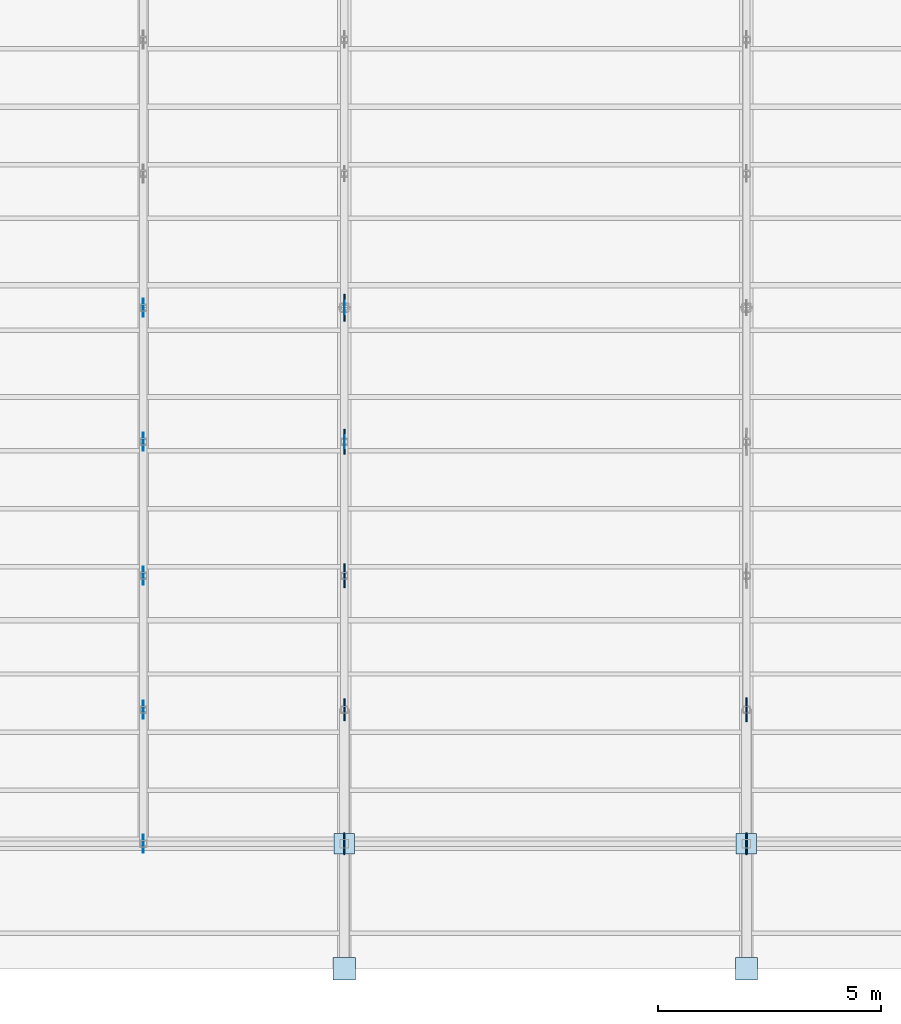
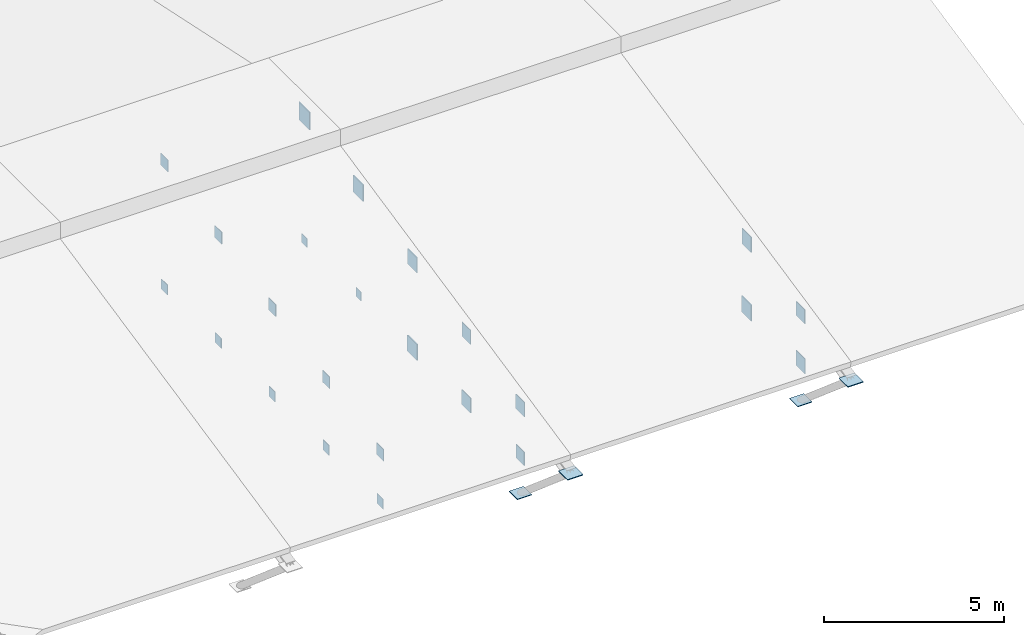
# One storey, part 40 of 43: 28 plates.
"""IFC4 building model written with IfcOpenShell, lengths in metres."""

import ifcopenshell
import ifcopenshell.guid

model = None  # the IFC model being written
_history = None  # IfcOwnerHistory: only IFC2X3 demands one
_inside = {}  # id of a spatial element -> (the spatial element, [elements in it])
_under = {}  # id of a project, library or spatial element -> (it, [spatial elements below it])
_declared = {}  # id of a project -> (the project, [libraries it declares])
_typed = {}  # id of a type object -> (the type object, [elements of that type])
_made_of = {}  # id of a material, layer set ... -> (it, [elements and type objects made of it])


def new_model(schema):
    """Start an empty IFC model of exactly this schema.

    Asked for "IFC4X3", IfcOpenShell would pick the latest addendum, in which some entities
    have other attributes; the version numbers below select the first issue.
    IFC2X3 requires an IfcOwnerHistory on every rooted entity: one is made here for all.
    """
    global model, _history
    if schema == "IFC4X3":
        model = ifcopenshell.file(schema_version=(4, 3, 0, 0))
    else:
        model = ifcopenshell.file(schema=schema)
    _inside.clear()
    _under.clear()
    _declared.clear()
    _typed.clear()
    _made_of.clear()
    _history = None
    if model.schema == "IFC2X3":
        org = make("IfcOrganization", Name="unknown")
        user = make(
            "IfcPersonAndOrganization",
            ThePerson=make("IfcPerson", FamilyName="unknown"),
            TheOrganization=org,
        )
        app = make(
            "IfcApplication",
            ApplicationDeveloper=org,
            Version="unknown",
            ApplicationFullName="unknown",
            ApplicationIdentifier="unknown",
        )
        _history = make(
            "IfcOwnerHistory",
            OwningUser=user,
            OwningApplication=app,
            ChangeAction="ADDED",
            CreationDate=0,
        )
    return model


def make(cls, **values):
    """One entity of the class cls with the attributes given. An attribute that is None is left unset."""
    return model.create_entity(
        cls, **{name: value for name, value in values.items() if value is not None}
    )


def rooted(cls, **values):
    """An entity with a GlobalId (a new one), such as an element, a storey or a relation."""
    return make(cls, GlobalId=ifcopenshell.guid.new(), OwnerHistory=_history, **values)


def si_unit(unit_type, name, prefix=None):
    """IfcSIUnit, for example si_unit("LENGTHUNIT", "METRE", prefix="MILLI")."""
    return make("IfcSIUnit", UnitType=unit_type, Prefix=prefix, Name=name)


def assignment(units):
    """IfcUnitAssignment: the units of a project."""
    return None if units is None else make("IfcUnitAssignment", Units=units)


def point(xyz):
    """IfcCartesianPoint."""
    return None if xyz is None else make("IfcCartesianPoint", Coordinates=xyz)


def direction(xyz):
    """IfcDirection."""
    return None if xyz is None else make("IfcDirection", DirectionRatios=xyz)


def frame(location, z_axis=None, x_axis=None):
    """IfcAxis2Placement3D, a coordinate frame: its origin and axes. An axis left out is left unset."""
    return make(
        "IfcAxis2Placement3D",
        Location=point(location),
        Axis=direction(z_axis),
        RefDirection=direction(x_axis),
    )


def frame_2d(location, x_axis=None):
    """IfcAxis2Placement2D, a coordinate frame in the plane: its origin and x axis."""
    return make(
        "IfcAxis2Placement2D", Location=point(location), RefDirection=direction(x_axis)
    )


def origin():
    """The frame at (0, 0, 0) with its axes left unset."""
    return frame((0.0, 0.0, 0.0))


def origin_2d():
    """The frame at (0, 0) in the plane with its x axis left unset."""
    return frame_2d((0.0, 0.0))


def place(relative_to, where):
    """IfcLocalPlacement: puts the frame where relative to a parent placement (None: the world)."""
    return make(
        "IfcLocalPlacement", PlacementRelTo=relative_to, RelativePlacement=where
    )


def context(
    kind, dimensions, precision=None, world=None, true_north=None, identifier=None
):
    """IfcGeometricRepresentationContext, for example the 3D "Model" context."""
    return make(
        "IfcGeometricRepresentationContext",
        ContextIdentifier=identifier,
        ContextType=kind,
        CoordinateSpaceDimension=dimensions,
        Precision=precision,
        WorldCoordinateSystem=world,
        TrueNorth=true_north,
    )


def subcontext(parent, identifier, kind, view, scale=None):
    """IfcGeometricRepresentationSubContext, for example "Body" below "Model"."""
    return make(
        "IfcGeometricRepresentationSubContext",
        ContextIdentifier=identifier,
        ContextType=kind,
        ParentContext=parent,
        TargetScale=scale,
        TargetView=view,
    )


def project(units=None, contexts=None):
    """IfcProject with its units and contexts."""
    return rooted(
        "IfcProject",
        Name="project",
        RepresentationContexts=contexts,
        UnitsInContext=assignment(units),
    )


def spatial(cls, under=None, at=None, **own):
    """A site, building, storey or space (cls), placed at a placement, below another one or the project."""
    s = rooted(cls, ObjectPlacement=at, **own)
    if under is not None:
        _under.setdefault(under.id(), (under, []))[1].append(s)
    return s


def profile(cls, at=None, kind="AREA", **sizes):
    """A parametric profile (cls). Its sizes go by their IFC names, for example OverallWidth=200.0."""
    return make(cls, ProfileType=kind, Position=at, **sizes)


def rectangle(**sizes):
    """IfcRectangleProfileDef."""
    return profile("IfcRectangleProfileDef", **sizes)


def extrude(swept, where, along, depth):
    """IfcExtrudedAreaSolid: the profile swept, set in the frame where, extruded along a direction by depth."""
    return make(
        "IfcExtrudedAreaSolid",
        SweptArea=swept,
        Position=where,
        ExtrudedDirection=direction(along),
        Depth=depth,
    )


def shape(context_of_items, identifier, shape_type, items):
    """IfcShapeRepresentation: the items that make up one representation, for example the "Body"."""
    return make(
        "IfcShapeRepresentation",
        ContextOfItems=context_of_items,
        RepresentationIdentifier=identifier,
        RepresentationType=shape_type,
        Items=items,
    )


def material(Name=None, Category=None):
    """IfcMaterial."""
    return make("IfcMaterial", Name=Name, Category=Category)


def layer(
    of_material, thickness, ventilated=None, Name=None, Category=None, Priority=None
):
    """IfcMaterialLayer: one layer of a wall or slab, of a material (None: an air gap)."""
    return make(
        "IfcMaterialLayer",
        Material=of_material,
        LayerThickness=thickness,
        IsVentilated=ventilated,
        Name=Name,
        Category=Category,
        Priority=Priority,
    )


def layer_set(layers, Name=None):
    """IfcMaterialLayerSet."""
    return make("IfcMaterialLayerSet", MaterialLayers=layers, LayerSetName=Name)


def made_of(thing, what):
    """Note that an element or type object is made of a material, layer set ...; save() writes the relation."""
    if what is not None:
        _made_of.setdefault(what.id(), (what, []))[1].append(thing)
    return thing


def type_object(cls, material=None, **own):
    """A type object (cls), such as IfcWallType, which elements share."""
    return made_of(rooted(cls, **own), material)


def element(
    cls,
    number,
    at=None,
    inside=None,
    cuts=None,
    type_object=None,
    material=None,
    context=None,
    identifier="Body",
    shape_type=None,
    held_by="IfcProductDefinitionShape",
    body=None,
    shapes=None,
    **own,
):
    """One element of the class cls, such as IfcWall. Its Tag is "e" and its number.

    at: its placement. inside: the storey or other place that contains it. cuts: it is an
    opening in that element (IfcRelVoidsElement). A single representation is given by context,
    identifier, shape_type and body (its items); several are given by shapes. held_by: the class
    of the entity that holds the representations. save() writes the other relations.
    """
    e = rooted(cls, Tag="e%d" % number, ObjectPlacement=at, **own)
    if body is not None:
        shapes = [shape(context, identifier, shape_type, body)]
    if shapes is not None:
        e.Representation = make(held_by, Representations=shapes)
    if inside is not None:
        _inside.setdefault(inside.id(), (inside, []))[1].append(e)
    if cuts is not None:
        rooted(
            "IfcRelVoidsElement", RelatingBuildingElement=cuts, RelatedOpeningElement=e
        )
    if type_object is not None:
        _typed.setdefault(type_object.id(), (type_object, []))[1].append(e)
    return made_of(e, material)


def aggregate(whole, parts):
    """IfcRelAggregates: a whole, such as a stair, and the parts it consists of."""
    return rooted("IfcRelAggregates", RelatingObject=whole, RelatedObjects=parts)


def save(model, path):
    """Write the relations noted so far, then the file.

    IfcRelAggregates (storeys below a building ...), IfcRelContainedInSpatialStructure (elements
    in a storey), IfcRelDefinesByType, IfcRelAssociatesMaterial and IfcRelDeclares: one each for
    every whole, place, type object, material and project.
    """
    for whole, parts in _under.values():
        aggregate(whole, parts)
    for where, things in _inside.values():
        rooted(
            "IfcRelContainedInSpatialStructure",
            RelatedElements=things,
            RelatingStructure=where,
        )
    for kind, things in _typed.values():
        rooted("IfcRelDefinesByType", RelatedObjects=things, RelatingType=kind)
    for what, things in _made_of.values():
        rooted("IfcRelAssociatesMaterial", RelatedObjects=things, RelatingMaterial=what)
    for by, libraries in _declared.values():
        rooted("IfcRelDeclares", RelatingContext=by, RelatedDefinitions=libraries)
    model.write(path)


model = new_model("IFC4")

# Units and contexts
model_context = context("Model", 3, precision=1e-05, world=origin(), true_north=direction((0.0, 1.0)))
body_context = subcontext(model_context, "Body", "Model", "MODEL_VIEW")
ifc_project = project(units=[si_unit("LENGTHUNIT", "METRE"), si_unit("AREAUNIT", "SQUARE_METRE"), si_unit("VOLUMEUNIT", "CUBIC_METRE"), si_unit("PLANEANGLEUNIT", "RADIAN"), si_unit("MASSUNIT", "GRAM", prefix="KILO")], contexts=[model_context])

# Site, building, storey
site_placement = place(None, origin())
site = spatial("IfcSite", under=ifc_project, at=site_placement, CompositionType="ELEMENT")
building_placement = place(site_placement, origin())
building = spatial("IfcBuilding", under=site, at=building_placement, Name="Serraforn Aerial Cableway Station", CompositionType="ELEMENT")
storey_placement = place(building_placement, frame((0.0, 0.0, 18.300048828125)))
storey = spatial("IfcBuildingStorey", under=building, at=storey_placement, Name="RF", CompositionType="ELEMENT", Elevation=18.300048828125)

# Plates
ifc_material = material(Name="Steel S355J2", Category="steel")
ifc_layer_1 = layer(ifc_material, 0.014892578125)
ifc_layer_set_1 = layer_set([ifc_layer_1], Name="Steel S355J2")
plate_type_1 = type_object("IfcPlateType", Name="PLT-CAP-15", PredefinedType="USERDEFINED", material=ifc_layer_set_1)
plate_1_placement = place(storey_placement, frame((72.60009765625, 27.0, -1.4951171875), z_axis=(0.0, 0.0, 1.0), x_axis=(1.0, 0.0, 0.0)))
element("IfcPlate", 1, at=plate_1_placement, inside=storey, type_object=plate_type_1, Name="Truss Bottom Node Cap TR-06-4", ObjectType="CAP PLATE", PredefinedType="USERDEFINED", context=body_context, shape_type="SweptSolid", body=[
    extrude(rectangle(XDim=0.014892578125, YDim=0.2900390625, at=origin_2d()), origin(), (0.0, 0.0, 1.0), 0.2900390625),
])
ifc_layer_2 = layer(ifc_material, 0.01611328125)
ifc_layer_set_2 = layer_set([ifc_layer_2], Name="Steel S355J2")
plate_type_2 = type_object("IfcPlateType", Name="PLT-CAP-16", PredefinedType="USERDEFINED", material=ifc_layer_set_2)
plate_2_placement = place(storey_placement, frame((72.60009765625, 30.0, -1.5), z_axis=(0.0, 0.0, 1.0), x_axis=(1.0, 0.0, 0.0)))
element("IfcPlate", 2, at=plate_2_placement, inside=storey, type_object=plate_type_2, Name="Truss Bottom Node Cap TR-06-5", ObjectType="CAP PLATE", PredefinedType="USERDEFINED", context=body_context, shape_type="SweptSolid", body=[
    extrude(rectangle(XDim=0.01611328125, YDim=0.300048828125, at=origin_2d()), origin(), (0.0, 0.0, 1.0), 0.300048828125),
])
ifc_layer_3 = layer(ifc_material, 0.01806640625)
ifc_layer_set_3 = layer_set([ifc_layer_3], Name="Steel S355J2")
plate_type_3 = type_object("IfcPlateType", Name="PLT-CAP-18", PredefinedType="USERDEFINED", material=ifc_layer_set_3)
for number, where, z_axis, x_axis, name in (
    (3, (68.10009765625, 18.0, -1.52001953125), (0.0, 0.0, 1.0), (1.0, 0.0, 0.0), "Intermediate Truss Bottom Cap TRM-05-1"),
    (4, (68.10009765625, 21.0, -1.52001953125), (0.0, 0.0, 1.0), (1.0, 0.0, 0.0), "Intermediate Truss Bottom Cap TRM-05-2"),
    (5, (68.10009765625, 24.0, -1.52001953125), (0.0, 0.0, 1.0), (1.0, 0.0, 0.0), "Intermediate Truss Bottom Cap TRM-05-3"),
    (6, (68.10009765625, 27.0, -1.52001953125), (0.0, 0.0, 1.0), (1.0, 0.0, 0.0), "Intermediate Truss Bottom Cap TRM-05-4"),
    (7, (68.10009765625, 30.0, -1.52001953125), (0.0, 0.0, 1.0), (1.0, 0.0, 0.0), "Intermediate Truss Bottom Cap TRM-05-5"),
):
    element("IfcPlate", number, at=place(storey_placement, frame(where, z_axis=z_axis, x_axis=x_axis)), inside=storey, type_object=plate_type_3, Name=name, ObjectType="CAP PLATE", PredefinedType="USERDEFINED", context=body_context, shape_type="SweptSolid", body=[
        extrude(rectangle(XDim=0.01806640625, YDim=0.340087890625, at=origin_2d()), origin(), (0.0, 0.0, 1.0), 0.340087890625),
    ])
ifc_layer_4 = layer(ifc_material, 0.02392578125)
ifc_layer_set_4 = layer_set([ifc_layer_4], Name="Steel S355J2")
plate_type_4 = type_object("IfcPlateType", Name="PLT-CAP-24", PredefinedType="USERDEFINED", material=ifc_layer_set_4)
plate_3_placement = place(storey_placement, frame((72.60009765625, 18.0, -1.580078125), z_axis=(0.0, 0.0, 1.0), x_axis=(1.0, 0.0, 0.0)))
element("IfcPlate", 8, at=plate_3_placement, inside=storey, type_object=plate_type_4, Name="Truss Bottom Node Cap TR-06-1", ObjectType="CAP PLATE", PredefinedType="USERDEFINED", context=body_context, shape_type="SweptSolid", body=[
    extrude(rectangle(XDim=0.02392578125, YDim=0.4599609375, at=origin_2d()), origin(), (0.0, 0.0, 1.0), 0.4599609375),
])
for number, where, z_axis, x_axis, name in (
    (9, (72.60009765625, 18.0, -2.662109375), (0.0, 0.0, 1.0), (1.0, 0.0, 0.0), "Truss Eave Column Gusset TR-06-ES"),
    (10, (81.60009765625, 18.0, -2.662109375), (0.0, 0.0, 1.0), (1.0, 0.0, 0.0), "Truss Eave Column Gusset TR-07-ES"),
):
    element("IfcPlate", number, at=place(storey_placement, frame(where, z_axis=z_axis, x_axis=x_axis)), inside=storey, type_object=plate_type_4, Name=name, ObjectType="CAP PLATE", PredefinedType="USERDEFINED", context=body_context, shape_type="SweptSolid", body=[
        extrude(rectangle(XDim=0.4599609375, YDim=0.4599609375, at=origin_2d()), origin(), (0.0, 0.0, 1.0), 0.02392578125),
    ])
ifc_layer_5 = layer(ifc_material, 0.028076171875)
ifc_layer_set_5 = layer_set([ifc_layer_5], Name="Steel S355J2")
plate_type_5 = type_object("IfcPlateType", Name="PLT-CAP-28", PredefinedType="USERDEFINED", material=ifc_layer_set_5)
plate_4_placement = place(storey_placement, frame((72.60009765625, 21.0, -1.60009765625), z_axis=(0.0, 0.0, 1.0), x_axis=(1.0, 0.0, 0.0)))
element("IfcPlate", 11, at=plate_4_placement, inside=storey, type_object=plate_type_5, Name="Truss Bottom Node Cap TR-06-2", ObjectType="CAP PLATE", PredefinedType="USERDEFINED", context=body_context, shape_type="SweptSolid", body=[
    extrude(rectangle(XDim=0.028076171875, YDim=0.5, at=origin_2d()), origin(), (0.0, 0.0, 1.0), 0.5),
])
plate_5_placement = place(storey_placement, frame((72.60009765625, 15.199951171875, -0.2841796875), z_axis=(0.0, 0.0, 1.0), x_axis=(1.0, 0.0, 0.0)))
element("IfcPlate", 12, at=plate_5_placement, inside=storey, type_object=plate_type_5, Name="Truss Eave Tip Cap Plate TR-06-ES", ObjectType="CAP PLATE", PredefinedType="USERDEFINED", context=body_context, shape_type="SweptSolid", body=[
    extrude(rectangle(XDim=0.5, YDim=0.5, at=origin_2d()), origin(), (0.0, 0.0, 1.0), 0.028076171875),
])
plate_6_placement = place(storey_placement, frame((81.60009765625, 18.0, -1.60009765625), z_axis=(0.0, 0.0, 1.0), x_axis=(1.0, 0.0, 0.0)))
element("IfcPlate", 13, at=plate_6_placement, inside=storey, type_object=plate_type_5, Name="Truss Bottom Node Cap TR-07-1", ObjectType="CAP PLATE", PredefinedType="USERDEFINED", context=body_context, shape_type="SweptSolid", body=[
    extrude(rectangle(XDim=0.028076171875, YDim=0.5, at=origin_2d()), origin(), (0.0, 0.0, 1.0), 0.5),
])
plate_7_placement = place(storey_placement, frame((81.60009765625, 15.199951171875, -0.2841796875), z_axis=(0.0, 0.0, 1.0), x_axis=(1.0, 0.0, 0.0)))
element("IfcPlate", 14, at=plate_7_placement, inside=storey, type_object=plate_type_5, Name="Truss Eave Tip Cap Plate TR-07-ES", ObjectType="CAP PLATE", PredefinedType="USERDEFINED", context=body_context, shape_type="SweptSolid", body=[
    extrude(rectangle(XDim=0.5, YDim=0.5, at=origin_2d()), origin(), (0.0, 0.0, 1.0), 0.028076171875),
])
ifc_layer_6 = layer(ifc_material, 0.031982421875)
ifc_layer_set_6 = layer_set([ifc_layer_6], Name="Steel S355J2")
plate_type_6 = type_object("IfcPlateType", Name="PLT-CAP-32", PredefinedType="USERDEFINED", material=ifc_layer_set_6)
for number, where, z_axis, x_axis, name in (
    (15, (72.60009765625, 24.0, -1.6201171875), (0.0, 0.0, 1.0), (1.0, 0.0, 0.0), "Truss Bottom Node Cap TR-06-3"),
    (16, (81.60009765625, 21.0, -1.6201171875), (0.0, 0.0, 1.0), (1.0, 0.0, 0.0), "Truss Bottom Node Cap TR-07-2"),
):
    element("IfcPlate", number, at=place(storey_placement, frame(where, z_axis=z_axis, x_axis=x_axis)), inside=storey, type_object=plate_type_6, Name=name, ObjectType="CAP PLATE", PredefinedType="USERDEFINED", context=body_context, shape_type="SweptSolid", body=[
        extrude(rectangle(XDim=0.031982421875, YDim=0.5400390625, at=origin_2d()), origin(), (0.0, 0.0, 1.0), 0.5400390625),
    ])
ifc_layer_7 = layer(ifc_material, 0.02001953125)
ifc_layer_set_7 = layer_set([ifc_layer_7], Name="Steel S355J2")
plate_type_7 = type_object("IfcPlateType", Name="PLT-GUS-20", PredefinedType="USERDEFINED", material=ifc_layer_set_7)
for number, where, z_axis, x_axis, name in (
    (17, (68.10009765625, 18.0, 0.125244140625), (0.0, 0.0, 1.0), (1.0, 0.0, 0.0), "Intermediate Truss Top Gusset TRM-05-1"),
    (18, (68.10009765625, 21.0, 0.762939453125), (0.0, 0.0, 1.0), (1.0, 0.0, 0.0), "Intermediate Truss Top Gusset TRM-05-2"),
    (19, (68.10009765625, 24.0, 1.400634765625), (0.0, 0.0, 1.0), (1.0, 0.0, 0.0), "Intermediate Truss Top Gusset TRM-05-3"),
    (20, (68.10009765625, 27.0, 2.038330078125), (0.0, 0.0, 1.0), (1.0, 0.0, 0.0), "Intermediate Truss Top Gusset TRM-05-4"),
    (21, (68.10009765625, 30.0, 2.676025390625), (0.0, 0.0, 1.0), (1.0, 0.0, 0.0), "Intermediate Truss Top Gusset TRM-05-5"),
):
    element("IfcPlate", number, at=place(storey_placement, frame(where, z_axis=z_axis, x_axis=x_axis)), inside=storey, type_object=plate_type_7, Name=name, ObjectType="GUSSET PLATE", PredefinedType="USERDEFINED", context=body_context, shape_type="SweptSolid", body=[
        extrude(rectangle(XDim=0.02001953125, YDim=0.39990234375, at=origin_2d()), origin(), (0.0, 0.0, 1.0), 0.39990234375),
    ])
ifc_layer_8 = layer(ifc_material, 0.02294921875)
ifc_layer_set_8 = layer_set([ifc_layer_8], Name="Steel S355J2")
plate_type_8 = type_object("IfcPlateType", Name="PLT-GUS-23", PredefinedType="USERDEFINED", material=ifc_layer_set_8)
plate_8_placement = place(storey_placement, frame((72.60009765625, 18.0, 0.080078125), z_axis=(0.0, 0.0, 1.0), x_axis=(1.0, 0.0, 0.0)))
element("IfcPlate", 22, at=plate_8_placement, inside=storey, type_object=plate_type_8, Name="Truss Top Node Gusset TR-06-1", ObjectType="GUSSET PLATE", PredefinedType="USERDEFINED", context=body_context, shape_type="SweptSolid", body=[
    extrude(rectangle(XDim=0.02294921875, YDim=0.489990234375, at=origin_2d()), origin(), (0.0, 0.0, 1.0), 0.489990234375),
])
ifc_layer_9 = layer(ifc_material, 0.02392578125)
ifc_layer_set_9 = layer_set([ifc_layer_9], Name="Steel S355J2")
plate_type_9 = type_object("IfcPlateType", Name="PLT-GUS-24", PredefinedType="USERDEFINED", material=ifc_layer_set_9)
for number, where, z_axis, x_axis, name in (
    (23, (72.60009765625, 21.0, 0.722900390625), (0.0, 0.0, 1.0), (1.0, 0.0, 0.0), "Truss Top Node Gusset TR-06-2"),
    (24, (81.60009765625, 18.0, 0.085205078125), (0.0, 0.0, 1.0), (1.0, 0.0, 0.0), "Truss Top Node Gusset TR-07-1"),
):
    element("IfcPlate", number, at=place(storey_placement, frame(where, z_axis=z_axis, x_axis=x_axis)), inside=storey, type_object=plate_type_9, Name=name, ObjectType="GUSSET PLATE", PredefinedType="USERDEFINED", context=body_context, shape_type="SweptSolid", body=[
        extrude(rectangle(XDim=0.02392578125, YDim=0.47998046875, at=origin_2d()), origin(), (0.0, 0.0, 1.0), 0.47998046875),
    ])
ifc_layer_10 = layer(ifc_material, 0.02587890625)
ifc_layer_set_10 = layer_set([ifc_layer_10], Name="Steel S355J2")
plate_type_10 = type_object("IfcPlateType", Name="PLT-GUS-26", PredefinedType="USERDEFINED", material=ifc_layer_set_10)
for number, where, z_axis, x_axis, name in (
    (25, (72.60009765625, 24.0, 1.340576171875), (0.0, 0.0, 1.0), (1.0, 0.0, 0.0), "Truss Top Node Gusset TR-06-3"),
    (26, (81.60009765625, 21.0, 0.702880859375), (0.0, 0.0, 1.0), (1.0, 0.0, 0.0), "Truss Top Node Gusset TR-07-2"),
):
    element("IfcPlate", number, at=place(storey_placement, frame(where, z_axis=z_axis, x_axis=x_axis)), inside=storey, type_object=plate_type_10, Name=name, ObjectType="GUSSET PLATE", PredefinedType="USERDEFINED", context=body_context, shape_type="SweptSolid", body=[
        extrude(rectangle(XDim=0.02587890625, YDim=0.52001953125, at=origin_2d()), origin(), (0.0, 0.0, 1.0), 0.52001953125),
    ])
ifc_layer_11 = layer(ifc_material, 0.028076171875)
ifc_layer_set_11 = layer_set([ifc_layer_11], Name="Steel S355J2")
plate_type_11 = type_object("IfcPlateType", Name="PLT-GUS-28", PredefinedType="USERDEFINED", material=ifc_layer_set_11)
plate_9_placement = place(storey_placement, frame((72.60009765625, 27.0, 1.958251953125), z_axis=(0.0, 0.0, 1.0), x_axis=(1.0, 0.0, 0.0)))
element("IfcPlate", 27, at=plate_9_placement, inside=storey, type_object=plate_type_11, Name="Truss Top Node Gusset TR-06-4", ObjectType="GUSSET PLATE", PredefinedType="USERDEFINED", context=body_context, shape_type="SweptSolid", body=[
    extrude(rectangle(XDim=0.028076171875, YDim=0.56005859375, at=origin_2d()), origin(), (0.0, 0.0, 1.0), 0.56005859375),
])
ifc_layer_12 = layer(ifc_material, 0.031982421875)
ifc_layer_set_12 = layer_set([ifc_layer_12], Name="Steel S355J2")
plate_type_12 = type_object("IfcPlateType", Name="PLT-GUS-32", PredefinedType="USERDEFINED", material=ifc_layer_set_12)
plate_10_placement = place(storey_placement, frame((72.60009765625, 30.0, 2.575927734375), z_axis=(0.0, 0.0, 1.0), x_axis=(1.0, 0.0, 0.0)))
element("IfcPlate", 28, at=plate_10_placement, inside=storey, type_object=plate_type_12, Name="Truss Top Node Gusset TR-06-5", ObjectType="GUSSET PLATE", PredefinedType="USERDEFINED", context=body_context, shape_type="SweptSolid", body=[
    extrude(rectangle(XDim=0.031982421875, YDim=0.60009765625, at=origin_2d()), origin(), (0.0, 0.0, 1.0), 0.60009765625),
])

save(model, "model.ifc")
